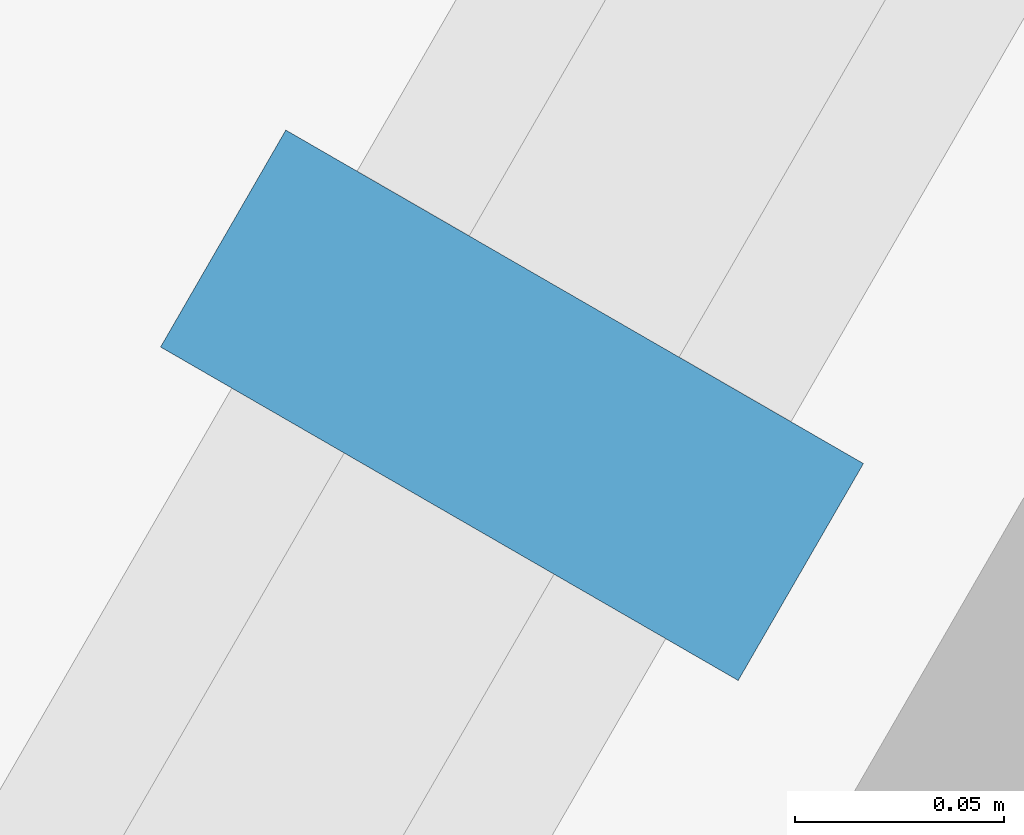
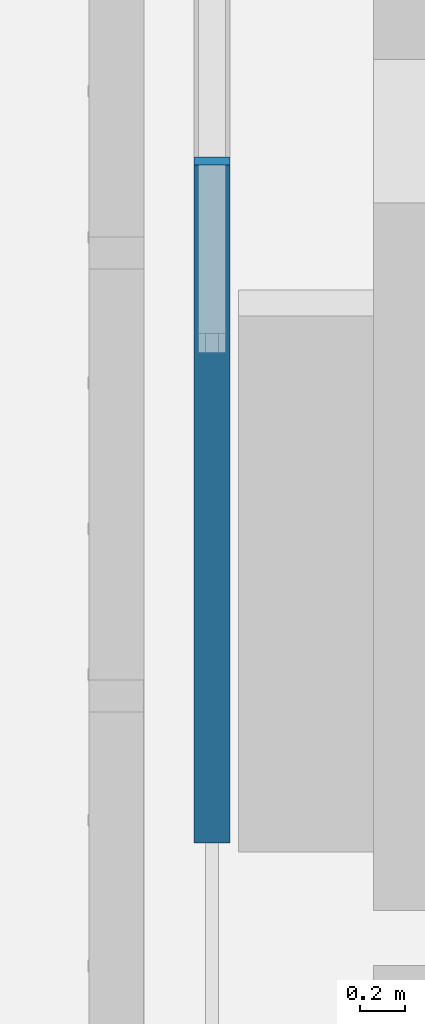
# One storey, part 59 of 127: 1 member, 1 element without a shape of its own.
"""IFC4 building model written with IfcOpenShell, lengths in metres."""

from ifc_helpers import new_model, si_unit, direction, frame, origin, origin_2d, place, context, subcontext, project, spatial, rectangle, extrude, material, material_profile, profile_set, type_object, element, aggregate, save


model = new_model("IFC4")

# Units and contexts
model_context = context("Model", 3, precision=1e-05, world=origin(), true_north=direction((0.0, 1.0)))
body_context = subcontext(model_context, "Body", "Model", "MODEL_VIEW")
ifc_project = project(units=[si_unit("LENGTHUNIT", "METRE"), si_unit("AREAUNIT", "SQUARE_METRE"), si_unit("VOLUMEUNIT", "CUBIC_METRE"), si_unit("PLANEANGLEUNIT", "RADIAN"), si_unit("MASSUNIT", "GRAM", prefix="KILO")], contexts=[model_context])

# Site, building, storey
site_placement = place(None, origin())
site = spatial("IfcSite", under=ifc_project, at=site_placement, CompositionType="ELEMENT")
building_placement = place(site_placement, origin())
building = spatial("IfcBuilding", under=site, at=building_placement, Name="Sandreach Pilgrim Tower", CompositionType="ELEMENT")
storey_placement = place(building_placement, frame((0.0, 0.0, 257.0)))
storey = spatial("IfcBuildingStorey", under=building, at=storey_placement, Name="L64", CompositionType="ELEMENT", Elevation=257.0)

# Curtain wall, member
ifc_material_1 = material(Name="Aluminium framed curtain wall", Category="aluminium")
curtain_wall_type = type_object("IfcCurtainWallType", Name="Suite tower curtain wall", PredefinedType="NOTDEFINED", material=ifc_material_1)
curtain_wall_placement = place(storey_placement, origin())
curtain_wall = element("IfcCurtainWall", 1, at=curtain_wall_placement, inside=storey, type_object=curtain_wall_type, Name="CW-4 L64 NW", PredefinedType="NOTDEFINED")
ifc_material_2 = material(Name="Aluminium extrusion", Category="aluminium")
ifc_material_profile = material_profile(ifc_material_2, rectangle(XDim=0.06005859375, YDim=0.159912109375, at=origin_2d()), Name="CW-4M 60X160")
ifc_profile_set = profile_set([ifc_material_profile], Name="Aluminium extrusion")
member_type = type_object("IfcMemberType", Name="CW-4 mullion", PredefinedType="MULLION", material=ifc_profile_set)
member_placement = place(storey_placement, frame((-21.527587890625, 12.428955078125, 0.0), z_axis=(0.0, 0.0, 1.0), x_axis=(0.5, 0.866025403784, 0.0)))
member = element("IfcMember", 2, at=member_placement, type_object=member_type, Name="CW-4 mullion 3", PredefinedType="MULLION", context=body_context, shape_type="SweptSolid", body=[
    extrude(rectangle(XDim=0.06005859375, YDim=0.159912109375, at=origin_2d()), origin(), (0.0, 0.0, 1.0), 3.639892578125),
])
aggregate(curtain_wall, [member])

save(model, "model.ifc")
